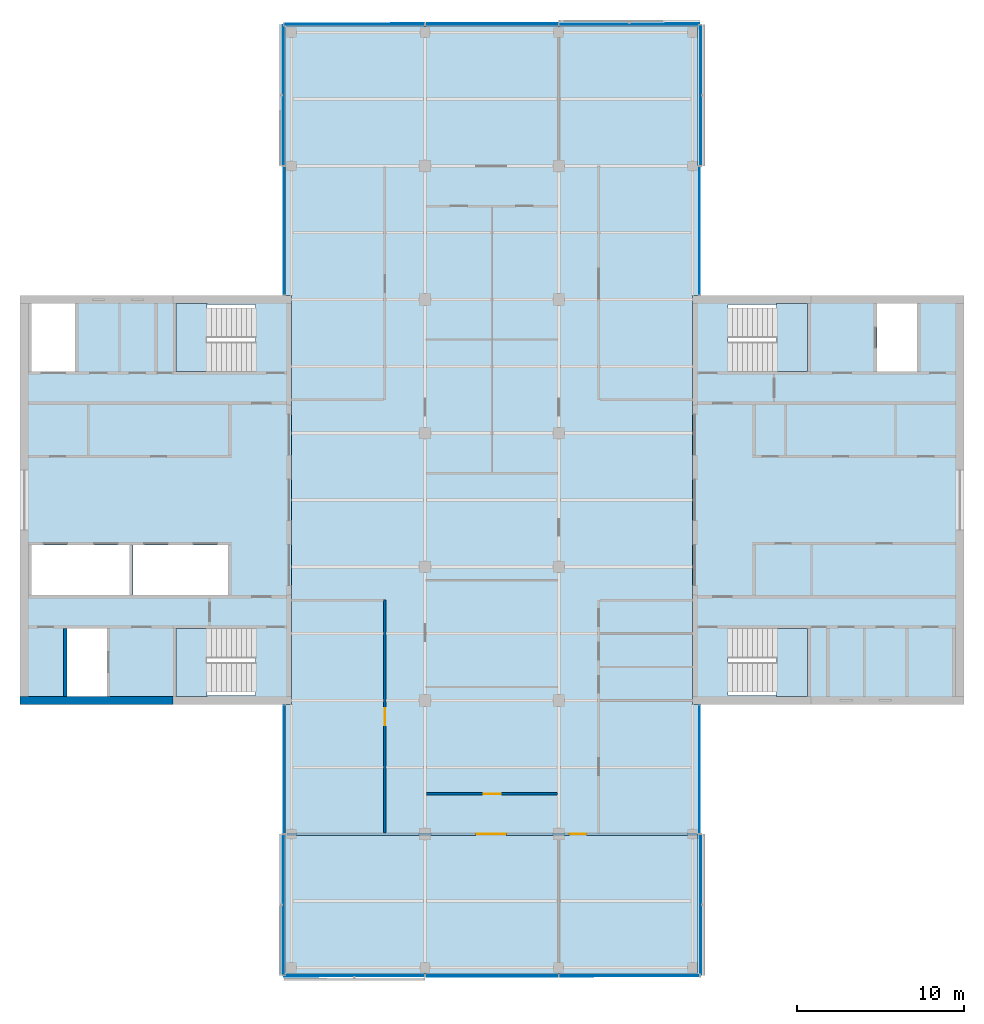
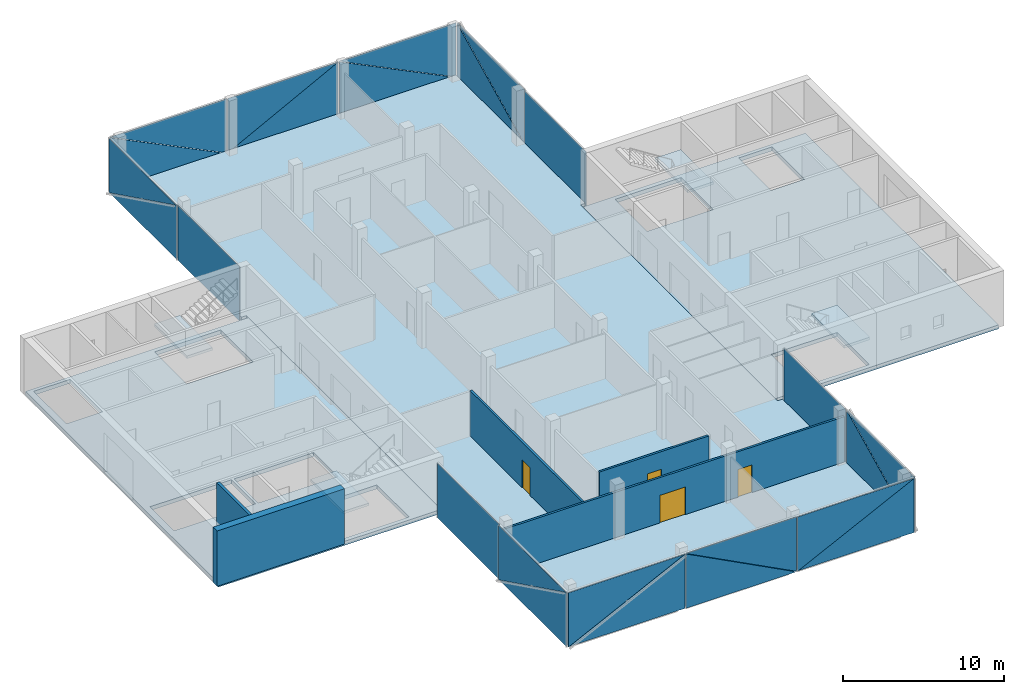
# One storey, part 8 of 15: 24 plates, 7 slabs, 5 walls, 4 doors, 4 openings, 14 elements without a shape of their own.
"""IFC4 building model written with IfcOpenShell, lengths in metres."""

from ifc_helpers import new_model, si_unit, direction, frame, frame_2d, origin, place, context, subcontext, project, spatial, polyline, rectangle, outline, extrude, material, layer, layer_set, constituent, constituent_set, type_object, element, fill, aggregate, save


model = new_model("IFC4")

# Units and contexts
model_context = context("Model", 3, precision=1e-05, world=origin(), true_north=direction((0.0, 1.0)))
body_context = subcontext(model_context, "Body", "Model", "MODEL_VIEW")
ifc_project = project(units=[si_unit("LENGTHUNIT", "METRE"), si_unit("AREAUNIT", "SQUARE_METRE"), si_unit("VOLUMEUNIT", "CUBIC_METRE"), si_unit("PLANEANGLEUNIT", "RADIAN"), si_unit("MASSUNIT", "GRAM", prefix="KILO")], contexts=[model_context])

# Site, building, storey
site_placement = place(None, origin())
site = spatial("IfcSite", under=ifc_project, at=site_placement, CompositionType="ELEMENT")
building_placement = place(site_placement, origin())
building = spatial("IfcBuilding", under=site, at=building_placement, Name="Crosswind Convention Tower", CompositionType="ELEMENT")
storey_placement = place(building_placement, frame((0.0, 0.0, 261.89990234375)))
storey = spatial("IfcBuildingStorey", under=building, at=storey_placement, Name="L56", CompositionType="ELEMENT", Elevation=261.89990234375)

# Slabs
ifc_material_1 = material(Name="Concrete C40/50", Category="concrete")
ifc_layer_1 = layer(ifc_material_1, 0.300048828125)
ifc_layer_set_1 = layer_set([ifc_layer_1], Name="Concrete C40/50")
slab_type_1 = type_object("IfcSlabType", Name="Composite floor slab 300", PredefinedType="FLOOR", material=ifc_layer_set_1)
slab_1_placement = place(storey_placement, frame((0.0, 0.0, -0.2998046875)))
element("IfcSlab", 1, at=slab_1_placement, inside=storey, type_object=slab_type_1, Name="Floor slab L56", PredefinedType="FLOOR", context=body_context, shape_type="SweptSolid", body=[
    extrude(outline(polyline([(137.35009765625, 71.64990234375), (137.0, 71.64990234375), (113.0, 71.64990234375), (112.64990234375, 71.64990234375), (112.64990234375, 72.0), (112.64990234375, 87.75), (113.0, 87.75), (113.0, 112.25), (112.64990234375, 112.25), (112.64990234375, 128.0), (112.64990234375, 128.35009765625), (113.0, 128.35009765625), (137.0, 128.35009765625), (137.35009765625, 128.35009765625), (137.35009765625, 128.0), (137.35009765625, 112.25), (137.0, 112.25), (137.0, 87.75), (137.35009765625, 87.75), (137.35009765625, 72.0), (137.35009765625, 71.64990234375)])), origin(), (0.0, 0.0, 1.0), 0.2998046875),
])
ifc_layer_2 = layer(ifc_material_1, 0.300048828125)
ifc_layer_set_2 = layer_set([ifc_layer_2], Name="Concrete C40/50")
slab_type_2 = type_object("IfcSlabType", Name="Concrete core floor slab 300", PredefinedType="FLOOR", material=ifc_layer_set_2)
slab_2_placement = place(storey_placement, frame((0.0, 0.0, -0.2998046875)))
element("IfcSlab", 2, at=slab_2_placement, inside=storey, type_object=slab_type_2, Name="Core floor slab E L56", PredefinedType="FLOOR", context=body_context, shape_type="SweptSolid", body=[
    extrude(outline(polyline([(137.0, 88.0), (153.0, 88.0), (153.0, 112.0), (137.0, 112.0), (137.0, 88.0)]), holes=[polyline([(150.449951171875, 107.699951171875), (150.449951171875, 111.75), (148.050048828125, 111.75), (148.050048828125, 107.699951171875), (150.449951171875, 107.699951171875)]), polyline([(143.89990234375, 107.699951171875), (143.89990234375, 111.699951171875), (139.14990234375, 111.699951171875), (139.14990234375, 107.699951171875), (143.89990234375, 107.699951171875)]), polyline([(143.89990234375, 88.300048828125), (143.89990234375, 92.300048828125), (139.14990234375, 92.300048828125), (139.14990234375, 88.300048828125), (143.89990234375, 88.300048828125)])]), origin(), (0.0, 0.0, 1.0), 0.2998046875),
])
slab_3_placement = place(storey_placement, frame((0.0, 0.0, -0.2998046875)))
element("IfcSlab", 3, at=slab_3_placement, inside=storey, type_object=slab_type_2, Name="Core floor slab W L56", PredefinedType="FLOOR", context=body_context, shape_type="SweptSolid", body=[
    extrude(outline(polyline([(97.0, 88.0), (113.0, 88.0), (113.0, 112.0), (97.0, 112.0), (97.0, 88.0)]), holes=[polyline([(109.199951171875, 94.300048828125), (109.199951171875, 97.300048828125), (103.5, 97.300048828125), (103.5, 94.300048828125), (109.199951171875, 94.300048828125)]), polyline([(103.300048828125, 94.300048828125), (103.300048828125, 97.300048828125), (97.449951171875, 97.300048828125), (97.449951171875, 94.300048828125), (103.300048828125, 94.300048828125)]), polyline([(101.949951171875, 88.25), (101.949951171875, 92.300048828125), (99.550048828125, 92.300048828125), (99.550048828125, 88.25), (101.949951171875, 88.25)]), polyline([(100.050048828125, 107.699951171875), (100.050048828125, 111.75), (97.449951171875, 111.75), (97.449951171875, 107.699951171875), (100.050048828125, 107.699951171875)]), polyline([(110.85009765625, 88.300048828125), (110.85009765625, 92.300048828125), (106.10009765625, 92.300048828125), (106.10009765625, 88.300048828125), (110.85009765625, 88.300048828125)]), polyline([(110.85009765625, 107.699951171875), (110.85009765625, 111.699951171875), (106.10009765625, 111.699951171875), (106.10009765625, 107.699951171875), (110.85009765625, 107.699951171875)])]), origin(), (0.0, 0.0, 1.0), 0.2998046875),
])

# Stair, slab
stair_type = type_object("IfcStairType", Name="Exit stair 1800 wide, 2 flights of 11 risers", PredefinedType="HALF_TURN_STAIR", material=ifc_material_1)
stair_1_placement = place(storey_placement, origin())
stair_1 = element("IfcStair", 4, at=stair_1_placement, inside=storey, type_object=stair_type, Name="Exit stair ST1 L56", ObjectType="ST5", PredefinedType="HALF_TURN_STAIR")
ifc_layer_3 = layer(ifc_material_1, 0.199951171875)
ifc_layer_set_3 = layer_set([ifc_layer_3], Name="Concrete C40/50")
slab_type_3 = type_object("IfcSlabType", Name="Stair landing 200", PredefinedType="LANDING", material=ifc_layer_set_3)
slab_4_placement = place(storey_placement, frame((0.0, 0.0, 1.900146484375)))
slab_4 = element("IfcSlab", 5, at=slab_4_placement, type_object=slab_type_3, Name="ST1 landing 1", PredefinedType="LANDING", context=body_context, shape_type="SweptSolid", body=[
    extrude(outline(polyline([(143.89990234375, 107.699951171875), (143.89990234375, 111.75), (142.050048828125, 111.75), (142.050048828125, 107.699951171875), (143.89990234375, 107.699951171875)])), origin(), (0.0, 0.0, 1.0), 0.199951171875),
])
aggregate(stair_1, [slab_4])

stair_2_placement = place(storey_placement, origin())
stair_2 = element("IfcStair", 6, at=stair_2_placement, inside=storey, type_object=stair_type, Name="Exit stair ST2 L56", ObjectType="ST5", PredefinedType="HALF_TURN_STAIR")
slab_5_placement = place(storey_placement, frame((0.0, 0.0, 1.900146484375)))
slab_5 = element("IfcSlab", 7, at=slab_5_placement, type_object=slab_type_3, Name="ST2 landing 1", PredefinedType="LANDING", context=body_context, shape_type="SweptSolid", body=[
    extrude(outline(polyline([(143.89990234375, 88.25), (143.89990234375, 92.300048828125), (142.050048828125, 92.300048828125), (142.050048828125, 88.25), (143.89990234375, 88.25)])), origin(), (0.0, 0.0, 1.0), 0.199951171875),
])
aggregate(stair_2, [slab_5])

stair_3_placement = place(storey_placement, origin())
stair_3 = element("IfcStair", 8, at=stair_3_placement, inside=storey, type_object=stair_type, Name="Exit stair ST3 L56", ObjectType="ST5", PredefinedType="HALF_TURN_STAIR")
slab_6_placement = place(storey_placement, frame((0.0, 0.0, 1.900146484375)))
slab_6 = element("IfcSlab", 9, at=slab_6_placement, type_object=slab_type_3, Name="ST3 landing 1", PredefinedType="LANDING", context=body_context, shape_type="SweptSolid", body=[
    extrude(outline(polyline([(107.949951171875, 88.25), (107.949951171875, 92.300048828125), (106.10009765625, 92.300048828125), (106.10009765625, 88.25), (107.949951171875, 88.25)])), origin(), (0.0, 0.0, 1.0), 0.199951171875),
])
aggregate(stair_3, [slab_6])

stair_4_placement = place(storey_placement, origin())
stair_4 = element("IfcStair", 10, at=stair_4_placement, inside=storey, type_object=stair_type, Name="Exit stair ST4 L56", ObjectType="ST5", PredefinedType="HALF_TURN_STAIR")
slab_7_placement = place(storey_placement, frame((0.0, 0.0, 1.900146484375)))
slab_7 = element("IfcSlab", 11, at=slab_7_placement, type_object=slab_type_3, Name="ST4 landing 1", PredefinedType="LANDING", context=body_context, shape_type="SweptSolid", body=[
    extrude(outline(polyline([(107.949951171875, 107.699951171875), (107.949951171875, 111.75), (106.10009765625, 111.75), (106.10009765625, 107.699951171875), (107.949951171875, 107.699951171875)])), origin(), (0.0, 0.0, 1.0), 0.199951171875),
])
aggregate(stair_4, [slab_7])

# Curtain wall, plate
ifc_material_2 = material(Name="Aluminium unitised curtain wall", Category="aluminium")
curtain_wall_type_1 = type_object("IfcCurtainWallType", Name="CORE END SLOT WALL 160", PredefinedType="USERDEFINED", material=ifc_material_2)
curtain_wall_1_placement = place(storey_placement, origin())
curtain_wall_1 = element("IfcCurtainWall", 12, at=curtain_wall_1_placement, inside=storey, type_object=curtain_wall_type_1, Name="CW6 L56 N-E.1-1 slot", ObjectType="UNITISED", PredefinedType="USERDEFINED")
ifc_material_3 = material(Name="Laminated insulating glass unit", Category="glass")
ifc_layer_4 = layer(ifc_material_3, 0.02587890625)
ifc_layer_set_4 = layer_set([ifc_layer_4], Name="TRIANGULAR GLASS PANEL 26")
plate_type_1 = type_object("IfcPlateType", Name="TRIANGULAR GLASS PANEL 26", PredefinedType="CURTAIN_PANEL", material=ifc_layer_set_4)
plate_1_placement = place(storey_placement, frame((137.456787109375, 112.300048828125, -0.2998046875), z_axis=(0.999999915205, 0.0, 0.00041181312), x_axis=(0.0, 1.0, 0.0)))
plate_1 = element("IfcPlate", 13, at=plate_1_placement, type_object=plate_type_1, Name="CW6 panel 1.1", PredefinedType="CURTAIN_PANEL", context=body_context, shape_type="SweptSolid", body=[
    extrude(outline(polyline([(0.0, 0.0), (7.64990234375, 0.0), (7.64990234375, 4.149902695641108), (0.0, 4.149902695641108), (0.0, 0.0)])), origin(), (0.0, 0.0, -1.0), 0.02587890625),
])
aggregate(curtain_wall_1, [plate_1])

curtain_wall_2_placement = place(storey_placement, origin())
curtain_wall_2 = element("IfcCurtainWall", 14, at=curtain_wall_2_placement, inside=storey, type_object=curtain_wall_type_1, Name="CW6 L56 N-W.1-2 slot", ObjectType="UNITISED", PredefinedType="USERDEFINED")
plate_2_placement = place(storey_placement, frame((112.543212890625, 119.949951171875, -0.2998046875), z_axis=(-0.999999915205, 0.0, 0.00041181312), x_axis=(0.0, -1.0, 0.0)))
plate_2 = element("IfcPlate", 15, at=plate_2_placement, type_object=plate_type_1, Name="CW6 panel 1.1", PredefinedType="CURTAIN_PANEL", context=body_context, shape_type="SweptSolid", body=[
    extrude(outline(polyline([(0.0, 0.0), (7.64990234375, 0.0), (7.64990234375, 4.149902695641108), (0.0, 4.149902695641108), (0.0, 0.0)])), origin(), (0.0, 0.0, -1.0), 0.02587890625),
])
aggregate(curtain_wall_2, [plate_2])

curtain_wall_3_placement = place(storey_placement, origin())
curtain_wall_3 = element("IfcCurtainWall", 16, at=curtain_wall_3_placement, inside=storey, type_object=curtain_wall_type_1, Name="CW6 L56 S-W.1-1 slot", ObjectType="UNITISED", PredefinedType="USERDEFINED")
plate_3_placement = place(storey_placement, frame((112.543212890625, 87.699951171875, -0.2998046875), z_axis=(-0.999999915205, 0.0, 0.00041181312), x_axis=(0.0, -1.0, 0.0)))
plate_3 = element("IfcPlate", 17, at=plate_3_placement, type_object=plate_type_1, Name="CW6 panel 1.1", PredefinedType="CURTAIN_PANEL", context=body_context, shape_type="SweptSolid", body=[
    extrude(outline(polyline([(0.0, 0.0), (7.64990234375, 0.0), (7.64990234375, 4.149902695641108), (0.0, 4.149902695641108), (0.0, 0.0)])), origin(), (0.0, 0.0, -1.0), 0.02587890625),
])
aggregate(curtain_wall_3, [plate_3])

curtain_wall_4_placement = place(storey_placement, origin())
curtain_wall_4 = element("IfcCurtainWall", 18, at=curtain_wall_4_placement, inside=storey, type_object=curtain_wall_type_1, Name="CW6 L56 S-E.1-2 slot", ObjectType="UNITISED", PredefinedType="USERDEFINED")
plate_4_placement = place(storey_placement, frame((137.456787109375, 80.050048828125, -0.2998046875), z_axis=(0.999999915205, 0.0, 0.00041181312), x_axis=(0.0, 1.0, 0.0)))
plate_4 = element("IfcPlate", 19, at=plate_4_placement, type_object=plate_type_1, Name="CW6 panel 1.1", PredefinedType="CURTAIN_PANEL", context=body_context, shape_type="SweptSolid", body=[
    extrude(outline(polyline([(0.0, 0.0), (7.64990234375, 0.0), (7.64990234375, 4.149902695641108), (0.0, 4.149902695641108), (0.0, 0.0)])), origin(), (0.0, 0.0, -1.0), 0.02587890625),
])
aggregate(curtain_wall_4, [plate_4])

# Curtain wall, plates
curtain_wall_type_2 = type_object("IfcCurtainWallType", Name="OFFICE UNITISED WALL 220", PredefinedType="USERDEFINED", material=ifc_material_2)
curtain_wall_5_placement = place(storey_placement, origin())
curtain_wall_5 = element("IfcCurtainWall", 20, at=curtain_wall_5_placement, inside=storey, type_object=curtain_wall_type_2, Name="CW3 L56 N-E 1", ObjectType="UNITISED", PredefinedType="USERDEFINED")
ifc_layer_5 = layer(ifc_material_3, 0.031982421875)
ifc_layer_set_5 = layer_set([ifc_layer_5], Name="TRIANGULAR GLASS PANEL 32")
plate_type_2 = type_object("IfcPlateType", Name="TRIANGULAR GLASS PANEL 32", PredefinedType="CURTAIN_PANEL", material=ifc_layer_set_5)
plate_5_placement = place(storey_placement, frame((137.492919921875, 128.425048828125, -0.2998046875), z_axis=(0.999999913913, 0.0, 0.000414937724), x_axis=(-0.000414937724, 0.0, 0.999999913913)))
plate_5 = element("IfcPlate", 21, at=plate_5_placement, type_object=plate_type_2, Name="CW3 panel 1.1", PredefinedType="CURTAIN_PANEL", context=body_context, shape_type="SweptSolid", body=[
    extrude(outline(polyline([(0.0, 0.0), (4.118652698311059, 0.0), (0.0, 8.367431640625), (0.0, 0.0)])), origin(), (0.0, 0.0, -1.0), 0.031982421875),
])
plate_6_placement = place(storey_placement, frame((137.525146484375, 120.034912109375, 3.830078125), z_axis=(0.999999913924, 0.0, 0.000414913129), x_axis=(0.000414913129, 0.0, -0.999999913924)))
plate_6 = element("IfcPlate", 22, at=plate_6_placement, type_object=plate_type_2, Name="CW3 panel 1.2", PredefinedType="CURTAIN_PANEL", context=body_context, shape_type="SweptSolid", body=[
    extrude(outline(polyline([(0.0, 0.0), (4.118896838915043, 0.0), (0.0, 8.367431640625), (0.0, 0.0)])), origin(), (0.0, 0.0, -1.0), 0.031982421875),
])
aggregate(curtain_wall_5, [plate_5, plate_6])

curtain_wall_6_placement = place(storey_placement, origin())
curtain_wall_6 = element("IfcCurtainWall", 23, at=curtain_wall_6_placement, inside=storey, type_object=curtain_wall_type_2, Name="CW3 L56 N-TIP 1", ObjectType="UNITISED", PredefinedType="USERDEFINED")
plate_7_placement = place(storey_placement, frame((129.034912109375, 128.492919921875, -0.2998046875), z_axis=(0.0, 0.999999913913, 0.000414937724), x_axis=(0.0, -0.000414937724, 0.999999913913)))
plate_7 = element("IfcPlate", 24, at=plate_7_placement, type_object=plate_type_2, Name="CW3 panel 1.1", PredefinedType="CURTAIN_PANEL", context=body_context, shape_type="SweptSolid", body=[
    extrude(outline(polyline([(0.0, 0.0), (4.118652698311059, 0.0), (0.0, 8.367431640625), (0.0, 0.0)])), origin(), (0.0, 0.0, -1.0), 0.031982421875),
])
plate_8_placement = place(storey_placement, frame((137.425048828125, 128.525146484375, 3.830078125), z_axis=(0.0, 0.999999913924, 0.000414913129), x_axis=(0.0, 0.000414913129, -0.999999913924)))
plate_8 = element("IfcPlate", 25, at=plate_8_placement, type_object=plate_type_2, Name="CW3 panel 1.2", PredefinedType="CURTAIN_PANEL", context=body_context, shape_type="SweptSolid", body=[
    extrude(outline(polyline([(0.0, 0.0), (4.118896838915043, 0.0), (0.0, 8.367431640625), (0.0, 0.0)])), origin(), (0.0, 0.0, -1.0), 0.031982421875),
])
plate_9_placement = place(storey_placement, frame((121.034912109375, 128.4912109375, 3.830078125), z_axis=(0.0, 0.999999913913, 0.000414937724), x_axis=(1.0, 0.0, 0.0)))
plate_9 = element("IfcPlate", 26, at=plate_9_placement, type_object=plate_type_2, Name="CW3 panel 2.1", PredefinedType="CURTAIN_PANEL", context=body_context, shape_type="SweptSolid", body=[
    extrude(outline(polyline([(0.0, 0.0), (7.908447265625, 0.0), (0.0, 4.118652698311059), (0.0, 0.0)])), origin(), (0.0, 0.0, -1.0), 0.031982421875),
])
plate_10_placement = place(storey_placement, frame((128.965087890625, 128.52685546875, -0.2998046875), z_axis=(0.0, 0.999999913913, 0.000414937724), x_axis=(-1.0, 0.0, 0.0)))
plate_10 = element("IfcPlate", 27, at=plate_10_placement, type_object=plate_type_2, Name="CW3 panel 2.2", PredefinedType="CURTAIN_PANEL", context=body_context, shape_type="SweptSolid", body=[
    extrude(outline(polyline([(0.0, 0.0), (7.908447265625, 0.0), (0.0, 4.118652698311059), (0.0, 0.0)])), origin(), (0.0, 0.0, -1.0), 0.031982421875),
])
plate_11_placement = place(storey_placement, frame((112.574951171875, 128.492919921875, -0.2998046875), z_axis=(0.0, 0.999999913913, 0.000414937724), x_axis=(0.0, -0.000414937724, 0.999999913913)))
plate_11 = element("IfcPlate", 28, at=plate_11_placement, type_object=plate_type_2, Name="CW3 panel 3.1", PredefinedType="CURTAIN_PANEL", context=body_context, shape_type="SweptSolid", body=[
    extrude(outline(polyline([(0.0, 0.0), (4.118652698311059, 0.0), (0.0, 8.367431640625), (0.0, 0.0)])), origin(), (0.0, 0.0, -1.0), 0.031982421875),
])
plate_12_placement = place(storey_placement, frame((120.965087890625, 128.525146484375, 3.830078125), z_axis=(0.0, 0.999999913924, 0.000414913129), x_axis=(0.0, 0.000414913129, -0.999999913924)))
plate_12 = element("IfcPlate", 29, at=plate_12_placement, type_object=plate_type_2, Name="CW3 panel 3.2", PredefinedType="CURTAIN_PANEL", context=body_context, shape_type="SweptSolid", body=[
    extrude(outline(polyline([(0.0, 0.0), (4.118896838915043, 0.0), (0.0, 8.367431640625), (0.0, 0.0)])), origin(), (0.0, 0.0, -1.0), 0.031982421875),
])
aggregate(curtain_wall_6, [plate_7, plate_8, plate_9, plate_10, plate_11, plate_12])

curtain_wall_7_placement = place(storey_placement, origin())
curtain_wall_7 = element("IfcCurtainWall", 30, at=curtain_wall_7_placement, inside=storey, type_object=curtain_wall_type_2, Name="CW3 L56 N-W 1", ObjectType="UNITISED", PredefinedType="USERDEFINED")
plate_13_placement = place(storey_placement, frame((112.507080078125, 120.034912109375, -0.2998046875), z_axis=(-0.999999913913, 0.0, 0.000414937724), x_axis=(0.000414937724, 0.0, 0.999999913913)))
plate_13 = element("IfcPlate", 31, at=plate_13_placement, type_object=plate_type_2, Name="CW3 panel 1.1", PredefinedType="CURTAIN_PANEL", context=body_context, shape_type="SweptSolid", body=[
    extrude(outline(polyline([(0.0, 0.0), (4.118652698311059, 0.0), (0.0, 8.367431640625), (0.0, 0.0)])), origin(), (0.0, 0.0, -1.0), 0.031982421875),
])
plate_14_placement = place(storey_placement, frame((112.474853515625, 128.425048828125, 3.830078125), z_axis=(-0.999999913924, 0.0, 0.000414913129), x_axis=(-0.000414913129, 0.0, -0.999999913924)))
plate_14 = element("IfcPlate", 32, at=plate_14_placement, type_object=plate_type_2, Name="CW3 panel 1.2", PredefinedType="CURTAIN_PANEL", context=body_context, shape_type="SweptSolid", body=[
    extrude(outline(polyline([(0.0, 0.0), (4.118896838915043, 0.0), (0.0, 8.367431640625), (0.0, 0.0)])), origin(), (0.0, 0.0, -1.0), 0.031982421875),
])
aggregate(curtain_wall_7, [plate_13, plate_14])

curtain_wall_8_placement = place(storey_placement, origin())
curtain_wall_8 = element("IfcCurtainWall", 33, at=curtain_wall_8_placement, inside=storey, type_object=curtain_wall_type_2, Name="CW3 L56 S-W 1", ObjectType="UNITISED", PredefinedType="USERDEFINED")
plate_15_placement = place(storey_placement, frame((112.507080078125, 71.574951171875, -0.2998046875), z_axis=(-0.999999913913, 0.0, 0.000414937724), x_axis=(0.000414937724, 0.0, 0.999999913913)))
plate_15 = element("IfcPlate", 34, at=plate_15_placement, type_object=plate_type_2, Name="CW3 panel 1.1", PredefinedType="CURTAIN_PANEL", context=body_context, shape_type="SweptSolid", body=[
    extrude(outline(polyline([(0.0, 0.0), (4.118652698311059, 0.0), (0.0, 8.367431640625), (0.0, 0.0)])), origin(), (0.0, 0.0, -1.0), 0.031982421875),
])
plate_16_placement = place(storey_placement, frame((112.474853515625, 79.965087890625, 3.830078125), z_axis=(-0.999999913924, 0.0, 0.000414913129), x_axis=(-0.000414913129, 0.0, -0.999999913924)))
plate_16 = element("IfcPlate", 35, at=plate_16_placement, type_object=plate_type_2, Name="CW3 panel 1.2", PredefinedType="CURTAIN_PANEL", context=body_context, shape_type="SweptSolid", body=[
    extrude(outline(polyline([(0.0, 0.0), (4.118896838915043, 0.0), (0.0, 8.367431640625), (0.0, 0.0)])), origin(), (0.0, 0.0, -1.0), 0.031982421875),
])
aggregate(curtain_wall_8, [plate_15, plate_16])

curtain_wall_9_placement = place(storey_placement, origin())
curtain_wall_9 = element("IfcCurtainWall", 36, at=curtain_wall_9_placement, inside=storey, type_object=curtain_wall_type_2, Name="CW3 L56 S-TIP 1", ObjectType="UNITISED", PredefinedType="USERDEFINED")
plate_17_placement = place(storey_placement, frame((120.965087890625, 71.507080078125, -0.2998046875), z_axis=(0.0, -0.999999913913, 0.000414937724), x_axis=(0.0, 0.000414937724, 0.999999913913)))
plate_17 = element("IfcPlate", 37, at=plate_17_placement, type_object=plate_type_2, Name="CW3 panel 1.1", PredefinedType="CURTAIN_PANEL", context=body_context, shape_type="SweptSolid", body=[
    extrude(outline(polyline([(0.0, 0.0), (4.118652698311059, 0.0), (0.0, 8.367431640625), (0.0, 0.0)])), origin(), (0.0, 0.0, -1.0), 0.031982421875),
])
plate_18_placement = place(storey_placement, frame((112.574951171875, 71.474853515625, 3.830078125), z_axis=(0.0, -0.999999913924, 0.000414913129), x_axis=(0.0, -0.000414913129, -0.999999913924)))
plate_18 = element("IfcPlate", 38, at=plate_18_placement, type_object=plate_type_2, Name="CW3 panel 1.2", PredefinedType="CURTAIN_PANEL", context=body_context, shape_type="SweptSolid", body=[
    extrude(outline(polyline([(0.0, 0.0), (4.118896838915043, 0.0), (0.0, 8.367431640625), (0.0, 0.0)])), origin(), (0.0, 0.0, -1.0), 0.031982421875),
])
plate_19_placement = place(storey_placement, frame((128.965087890625, 71.5087890625, 3.830078125), z_axis=(0.0, -0.999999913913, 0.000414937724), x_axis=(-1.0, 0.0, 0.0)))
plate_19 = element("IfcPlate", 39, at=plate_19_placement, type_object=plate_type_2, Name="CW3 panel 2.1", PredefinedType="CURTAIN_PANEL", context=body_context, shape_type="SweptSolid", body=[
    extrude(outline(polyline([(0.0, 0.0), (7.908447265625, 0.0), (0.0, 4.118652698311059), (0.0, 0.0)])), origin(), (0.0, 0.0, -1.0), 0.031982421875),
])
plate_20_placement = place(storey_placement, frame((121.034912109375, 71.47314453125, -0.2998046875), z_axis=(0.0, -0.999999913913, 0.000414937724), x_axis=(1.0, 0.0, 0.0)))
plate_20 = element("IfcPlate", 40, at=plate_20_placement, type_object=plate_type_2, Name="CW3 panel 2.2", PredefinedType="CURTAIN_PANEL", context=body_context, shape_type="SweptSolid", body=[
    extrude(outline(polyline([(0.0, 0.0), (7.908447265625, 0.0), (0.0, 4.118652698311059), (0.0, 0.0)])), origin(), (0.0, 0.0, -1.0), 0.031982421875),
])
plate_21_placement = place(storey_placement, frame((137.425048828125, 71.507080078125, -0.2998046875), z_axis=(0.0, -0.999999913913, 0.000414937724), x_axis=(0.0, 0.000414937724, 0.999999913913)))
plate_21 = element("IfcPlate", 41, at=plate_21_placement, type_object=plate_type_2, Name="CW3 panel 3.1", PredefinedType="CURTAIN_PANEL", context=body_context, shape_type="SweptSolid", body=[
    extrude(outline(polyline([(0.0, 0.0), (4.118652698311059, 0.0), (0.0, 8.367431640625), (0.0, 0.0)])), origin(), (0.0, 0.0, -1.0), 0.031982421875),
])
plate_22_placement = place(storey_placement, frame((129.034912109375, 71.474853515625, 3.830078125), z_axis=(0.0, -0.999999913924, 0.000414913129), x_axis=(0.0, -0.000414913129, -0.999999913924)))
plate_22 = element("IfcPlate", 42, at=plate_22_placement, type_object=plate_type_2, Name="CW3 panel 3.2", PredefinedType="CURTAIN_PANEL", context=body_context, shape_type="SweptSolid", body=[
    extrude(outline(polyline([(0.0, 0.0), (4.118896838915043, 0.0), (0.0, 8.367431640625), (0.0, 0.0)])), origin(), (0.0, 0.0, -1.0), 0.031982421875),
])
aggregate(curtain_wall_9, [plate_17, plate_18, plate_19, plate_20, plate_21, plate_22])

curtain_wall_10_placement = place(storey_placement, origin())
curtain_wall_10 = element("IfcCurtainWall", 43, at=curtain_wall_10_placement, inside=storey, type_object=curtain_wall_type_2, Name="CW3 L56 S-E 1", ObjectType="UNITISED", PredefinedType="USERDEFINED")
plate_23_placement = place(storey_placement, frame((137.492919921875, 79.965087890625, -0.2998046875), z_axis=(0.999999913913, 0.0, 0.000414937724), x_axis=(-0.000414937724, 0.0, 0.999999913913)))
plate_23 = element("IfcPlate", 44, at=plate_23_placement, type_object=plate_type_2, Name="CW3 panel 1.1", PredefinedType="CURTAIN_PANEL", context=body_context, shape_type="SweptSolid", body=[
    extrude(outline(polyline([(0.0, 0.0), (4.118652698311059, 0.0), (0.0, 8.367431640625), (0.0, 0.0)])), origin(), (0.0, 0.0, -1.0), 0.031982421875),
])
plate_24_placement = place(storey_placement, frame((137.525146484375, 71.574951171875, 3.830078125), z_axis=(0.999999913924, 0.0, 0.000414913129), x_axis=(0.000414913129, 0.0, -0.999999913924)))
plate_24 = element("IfcPlate", 45, at=plate_24_placement, type_object=plate_type_2, Name="CW3 panel 1.2", PredefinedType="CURTAIN_PANEL", context=body_context, shape_type="SweptSolid", body=[
    extrude(outline(polyline([(0.0, 0.0), (4.118896838915043, 0.0), (0.0, 8.367431640625), (0.0, 0.0)])), origin(), (0.0, 0.0, -1.0), 0.031982421875),
])
aggregate(curtain_wall_10, [plate_23, plate_24])

# Wall
ifc_material_4 = material(Name="Concrete C50/60", Category="concrete")
ifc_layer_6 = layer(ifc_material_4, 0.199951171875)
ifc_layer_set_6 = layer_set([ifc_layer_6], Name="Concrete C50/60")
wall_type_1 = type_object("IfcWallType", Name="Concrete shaft and stair wall 200", PredefinedType="SHEAR", material=ifc_layer_set_6)
wall_1_placement = place(storey_placement, frame((99.449951171875, 92.300048828125, 0.0), z_axis=(0.0, 0.0, 1.0), x_axis=(0.0, -1.0, 0.0)))
element("IfcWall", 46, at=wall_1_placement, inside=storey, type_object=wall_type_1, Name="Wall PFSE W L56", PredefinedType="SHEAR", context=body_context, shape_type="SweptSolid", body=[
    extrude(rectangle(XDim=4.050048828125, YDim=0.199951171875, at=frame_2d((2.02490234375, 0.0))), origin(), (0.0, 0.0, 1.0), 4.2001953125),
])

# Wall, opening, door
ifc_material_5 = material(Name="Fire-board partition with mineral wool", Category="gypsum")
ifc_layer_7 = layer(ifc_material_5, 0.14990234375)
ifc_layer_set_7 = layer_set([ifc_layer_7], Name="TENANCY WALL 150 TWO-HOUR BOARD")
wall_type_2 = type_object("IfcWallType", Name="TENANCY WALL 150 TWO-HOUR BOARD", PredefinedType="PARTITIONING", material=ifc_layer_set_7)
wall_2_placement = place(storey_placement, frame((118.60009765625, 80.074951171875, 0.0), z_axis=(0.0, 0.0, 1.0), x_axis=(0.0, 1.0, 0.0)))
wall_2 = element("IfcWall", 47, at=wall_2_placement, inside=storey, type_object=wall_type_2, Name="Tenancy wall WT41", PredefinedType="PARTITIONING", context=body_context, shape_type="SweptSolid", body=[
    extrude(rectangle(XDim=13.925048828125, YDim=0.14990234375, at=frame_2d((6.96240234375, 0.0))), origin(), (0.0, 0.0, 1.0), 3.44287109375),
])
opening_1_placement = place(wall_2_placement, frame((6.449951171875, 0.0, 0.0)))
opening_1 = element("IfcOpeningElement", 48, at=opening_1_placement, cuts=wall_2, Name="Opening L56-56", PredefinedType="OPENING", context=body_context, shape_type="SweptSolid", body=[
    extrude(rectangle(XDim=1.0, YDim=2.10009765625, at=frame_2d((0.5, 1.050048828125))), frame((0.0, 0.0849609375, 0.0), z_axis=(0.0, -1.0, 0.0), x_axis=(1.0, 0.0, 0.0)), (0.0, 0.0, 1.0), 0.169921875),
])
ifc_material_6 = material(Name="Timber fire door", Category="wood")
door_type_1 = type_object("IfcDoorType", Name="TENANCY ENTRANCE DOOR 1000X2100 FD30S", OperationType="NOTDEFINED", PredefinedType="DOOR", material=ifc_material_6)
door_1_placement = place(opening_1_placement, origin())
door_1 = element("IfcDoor", 49, at=door_1_placement, inside=storey, type_object=door_type_1, Name="Door L56-56", ObjectType="D41", OperationType="SINGLE_SWING_RIGHT", OverallHeight=2.10009765625, OverallWidth=1.0, PredefinedType="DOOR", context=body_context, shape_type="SweptSolid", body=[
    extrude(rectangle(XDim=1.0, YDim=2.10009765625, at=frame_2d((0.5, 1.050048828125))), frame((0.0, 0.02490234375, 0.0), z_axis=(0.0, -1.0, 0.0), x_axis=(1.0, 0.0, 0.0)), (0.0, 0.0, 1.0), 0.050048828125),
])
fill(opening_1, door_1)

# Wall, openings, doors
wall_3_placement = place(storey_placement, frame((112.72998046875, 80.0, 0.0), z_axis=(0.0, 0.0, 1.0), x_axis=(1.0, 0.0, 0.0)))
wall_3 = element("IfcWall", 50, at=wall_3_placement, inside=storey, type_object=wall_type_2, Name="Tenancy wall WT41", PredefinedType="PARTITIONING", context=body_context, shape_type="SweptSolid", body=[
    extrude(rectangle(XDim=24.5400390625, YDim=0.14990234375, at=frame_2d((12.27001953125, 0.0))), origin(), (0.0, 0.0, 1.0), 3.44287109375),
])
opening_2_placement = place(wall_3_placement, frame((11.320068359375, 0.0, 0.0)))
opening_2 = element("IfcOpeningElement", 51, at=opening_2_placement, cuts=wall_3, Name="Opening L56-58", PredefinedType="OPENING", context=body_context, shape_type="SweptSolid", body=[
    extrude(rectangle(XDim=1.800048828125, YDim=2.10009765625, at=frame_2d((0.89990234375, 1.050048828125))), frame((0.0, 0.0849609375, 0.0), z_axis=(0.0, -1.0, 0.0), x_axis=(1.0, 0.0, 0.0)), (0.0, 0.0, 1.0), 0.169921875),
])
opening_3_placement = place(wall_3_placement, frame((16.919921875, 0.0, 0.0)))
opening_3 = element("IfcOpeningElement", 52, at=opening_3_placement, cuts=wall_3, Name="Opening L56-59", PredefinedType="OPENING", context=body_context, shape_type="SweptSolid", body=[
    extrude(rectangle(XDim=1.0, YDim=2.10009765625, at=frame_2d((0.5, 1.050048828125))), frame((0.0, 0.0849609375, 0.0), z_axis=(0.0, -1.0, 0.0), x_axis=(1.0, 0.0, 0.0)), (0.0, 0.0, 1.0), 0.169921875),
])
door_2_placement = place(opening_3_placement, frame((1.0, 0.0, 0.0), z_axis=(0.0, 0.0, 1.0), x_axis=(-1.0, 0.0, 0.0)))
door_2 = element("IfcDoor", 53, at=door_2_placement, inside=storey, type_object=door_type_1, Name="Door L56-59", ObjectType="D41", OperationType="SINGLE_SWING_RIGHT", OverallHeight=2.10009765625, OverallWidth=1.0, PredefinedType="DOOR", context=body_context, shape_type="SweptSolid", body=[
    extrude(rectangle(XDim=1.0, YDim=2.10009765625, at=frame_2d((0.5, 1.050048828125))), frame((0.0, 0.02490234375, 0.0), z_axis=(0.0, -1.0, 0.0), x_axis=(1.0, 0.0, 0.0)), (0.0, 0.0, 1.0), 0.050048828125),
])
fill(opening_3, door_2)
door_type_2 = type_object("IfcDoorType", Name="TENANCY ENTRANCE DOUBLE DOOR 1800X2100 FD30S", OperationType="DOUBLE_DOOR_SINGLE_SWING", PredefinedType="DOOR", material=ifc_material_6)
door_3_placement = place(opening_2_placement, frame((1.800048828125, 0.0, 0.0), z_axis=(0.0, 0.0, 1.0), x_axis=(-1.0, 0.0, 0.0)))
door_3 = element("IfcDoor", 54, at=door_3_placement, inside=storey, type_object=door_type_2, Name="Door L56-58", ObjectType="D42", OperationType="DOUBLE_DOOR_SINGLE_SWING", OverallHeight=2.10009765625, OverallWidth=1.800048828125, PredefinedType="DOOR", context=body_context, shape_type="SweptSolid", body=[
    extrude(rectangle(XDim=1.800048828125, YDim=2.10009765625, at=frame_2d((0.89990234375, 1.050048828125))), frame((0.0, 0.02490234375, 0.0), z_axis=(0.0, -1.0, 0.0), x_axis=(1.0, 0.0, 0.0)), (0.0, 0.0, 1.0), 0.050048828125),
])
fill(opening_2, door_3)

# Wall, opening, door
wall_4_placement = place(storey_placement, frame((121.074951171875, 82.39990234375, 0.0), z_axis=(0.0, 0.0, 1.0), x_axis=(1.0, 0.0, 0.0)))
wall_4 = element("IfcWall", 55, at=wall_4_placement, inside=storey, type_object=wall_type_2, Name="Tenancy wall WT41", PredefinedType="PARTITIONING", context=body_context, shape_type="SweptSolid", body=[
    extrude(rectangle(XDim=7.85009765625, YDim=0.14990234375, at=frame_2d((3.925048828125, 0.0))), origin(), (0.0, 0.0, 1.0), 3.44287109375),
])
opening_4_placement = place(wall_4_placement, frame((3.449951171875, 0.0, 0.0)))
opening_4 = element("IfcOpeningElement", 56, at=opening_4_placement, cuts=wall_4, Name="Opening L56-60", PredefinedType="OPENING", context=body_context, shape_type="SweptSolid", body=[
    extrude(rectangle(XDim=1.0, YDim=2.10009765625, at=frame_2d((0.5, 1.050048828125))), frame((0.0, 0.0849609375, 0.0), z_axis=(0.0, -1.0, 0.0), x_axis=(1.0, 0.0, 0.0)), (0.0, 0.0, 1.0), 0.169921875),
])
door_4_placement = place(opening_4_placement, origin())
door_4 = element("IfcDoor", 57, at=door_4_placement, inside=storey, type_object=door_type_1, Name="Door L56-60", ObjectType="D41", OperationType="SINGLE_SWING_RIGHT", OverallHeight=2.10009765625, OverallWidth=1.0, PredefinedType="DOOR", context=body_context, shape_type="SweptSolid", body=[
    extrude(rectangle(XDim=1.0, YDim=2.10009765625, at=frame_2d((0.5, 1.050048828125))), frame((0.0, 0.02490234375, 0.0), z_axis=(0.0, -1.0, 0.0), x_axis=(1.0, 0.0, 0.0)), (0.0, 0.0, 1.0), 0.050048828125),
])
fill(opening_4, door_4)

# Wall
ifc_material_7 = material(Name="Concrete C60/75", Category="concrete")
ifc_constituent_1 = constituent(ifc_material_7, Name="Structure")
ifc_material_8 = material(Name="Terracotta rainscreen", Category="ceramic")
ifc_constituent_2 = constituent(ifc_material_8, Name="Facing")
ifc_constituent_set = constituent_set(constituents=[ifc_constituent_1, ifc_constituent_2], Name="Concrete C60/75, Terracotta rainscreen")
wall_type_3 = type_object("IfcWallType", Name="Terracotta rainscreen on concrete core wall 500", PredefinedType="SHEAR", material=ifc_constituent_set)
wall_5_placement = place(storey_placement, frame((105.89990234375, 88.0, 0.0), z_axis=(0.0, 0.0, 1.0), x_axis=(-1.0, 0.0, 0.0)))
element("IfcWall", 58, at=wall_5_placement, inside=storey, type_object=wall_type_3, Name="Wall N2 W L56", PredefinedType="SHEAR", context=body_context, shape_type="SweptSolid", body=[
    extrude(rectangle(XDim=9.14990234375, YDim=0.5, at=frame_2d((4.574951171875, 0.0))), origin(), (0.0, 0.0, 1.0), 4.2001953125),
])

save(model, "model.ifc")
